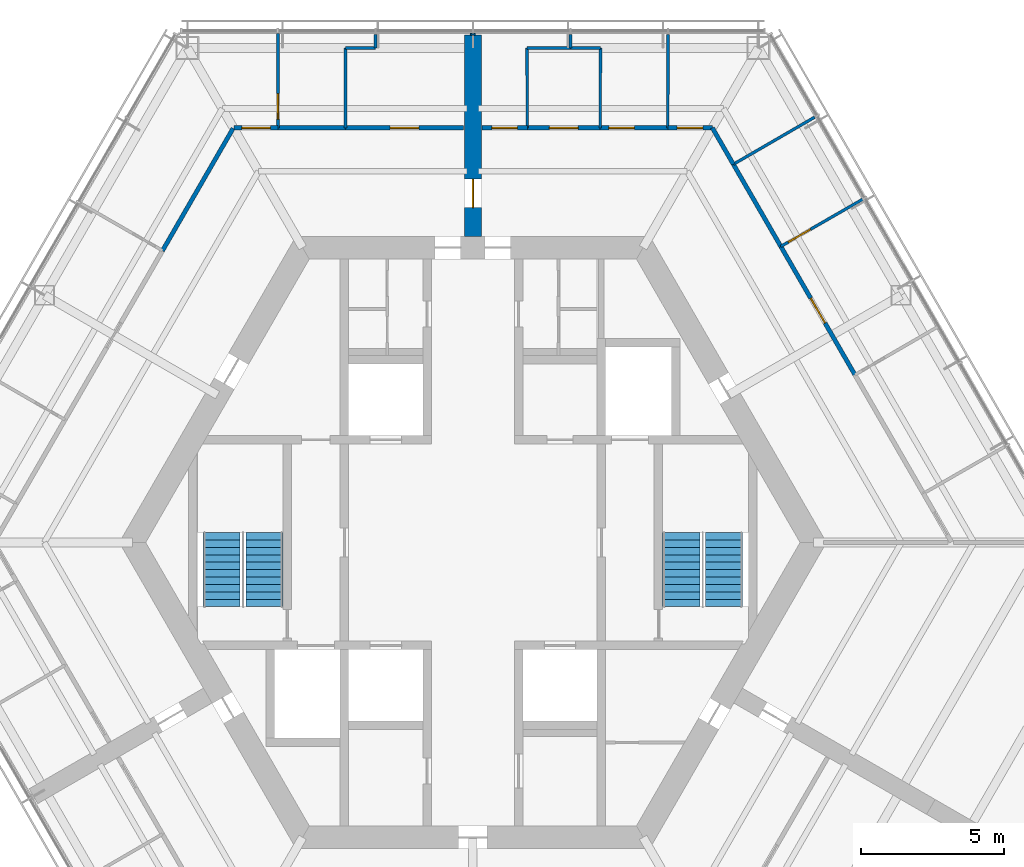
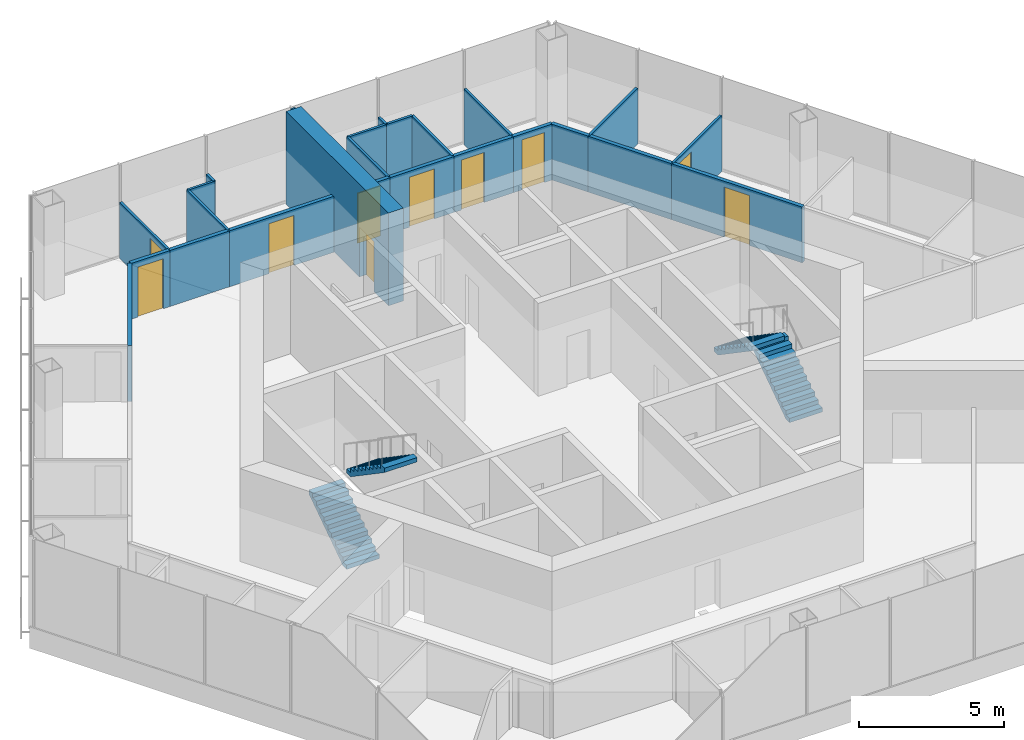
# One storey, part 10 of 13: 25 walls, 10 doors, 4 stair flights, 10 openings, 2 elements without a shape of their own.
"""IFC4 building model written with IfcOpenShell, lengths in metres."""

from ifc_helpers import new_model, si_unit, direction, frame, frame_2d, origin, place, context, subcontext, project, spatial, polyline, rectangle, outline, extrude, material, layer, layer_set, type_object, element, fill, aggregate, save


model = new_model("IFC4")

# Units and contexts
model_context = context("Model", 3, precision=1e-05, world=origin(), true_north=direction((0.0, 1.0)))
body_context = subcontext(model_context, "Body", "Model", "MODEL_VIEW")
ifc_project = project(units=[si_unit("LENGTHUNIT", "METRE"), si_unit("AREAUNIT", "SQUARE_METRE"), si_unit("VOLUMEUNIT", "CUBIC_METRE"), si_unit("PLANEANGLEUNIT", "RADIAN"), si_unit("MASSUNIT", "GRAM", prefix="KILO")], contexts=[model_context])

# Site, building, storey
site_placement = place(None, origin())
site = spatial("IfcSite", under=ifc_project, at=site_placement, CompositionType="ELEMENT")
building_placement = place(site_placement, origin())
building = spatial("IfcBuilding", under=site, at=building_placement, Name="Kasaneha Research Tower", CompositionType="ELEMENT")
storey_placement = place(building_placement, frame((0.0, 0.0, 298.60009765625)))
storey = spatial("IfcBuildingStorey", under=building, at=storey_placement, Name="L75", CompositionType="ELEMENT", Elevation=298.60009765625)

# Walls
ifc_material_1 = material(Name="Gypsum board on steel studs, one layer each side", Category="steel")
ifc_layer_1 = layer(ifc_material_1, 0.10009765625)
ifc_layer_set_1 = layer_set([ifc_layer_1], Name="Office partition 100")
wall_type_1 = type_object("IfcWallType", Name="Office partition 100", PredefinedType="PARTITIONING", material=ifc_layer_set_1)
wall_1_placement = place(storey_placement, frame((3.410400390625, 17.324951171875, 0.0), z_axis=(0.0, 0.0, 1.0), x_axis=(1.0, 0.0, 0.0)))
element("IfcWall", 1, at=wall_1_placement, inside=storey, type_object=wall_type_1, Name="Office partition FAE10 L75", PredefinedType="PARTITIONING", context=body_context, shape_type="SweptSolid", body=[
    extrude(rectangle(XDim=1.0546875, YDim=0.10009765625, at=frame_2d((0.52734375, 0.0))), origin(), (0.0, 0.0, 1.0), 2.349853515625),
])
wall_2_placement = place(storey_placement, frame((4.465087890625, 17.324951171875, 0.0), z_axis=(0.0, 0.0, 1.0), x_axis=(-0.001831019688, -0.999998323682, 0.0)))
element("IfcWall", 2, at=wall_2_placement, inside=storey, type_object=wall_type_1, Name="Office partition FAE11 L75", PredefinedType="PARTITIONING", context=body_context, shape_type="SweptSolid", body=[
    extrude(rectangle(XDim=2.800048828125, YDim=0.10009765625, at=frame_2d((1.39990234375, 0.0))), origin(), (0.0, 0.0, 1.0), 2.349853515625),
])
wall_3_placement = place(storey_placement, frame((1.89990234375, 17.324951171875, 0.0), z_axis=(0.0, 0.0, 1.0), x_axis=(1.0, 0.0, 0.0)))
element("IfcWall", 3, at=wall_3_placement, inside=storey, type_object=wall_type_1, Name="Office partition FAE12 L75", PredefinedType="PARTITIONING", context=body_context, shape_type="SweptSolid", body=[
    extrude(rectangle(XDim=1.5205078125, YDim=0.10009765625, at=frame_2d((0.76025390625, 0.0))), origin(), (0.0, 0.0, 1.0), 2.349853515625),
])
wall_4_placement = place(storey_placement, frame((1.905029296875, 14.52490234375, 0.0), z_axis=(0.0, 0.0, 1.0), x_axis=(-0.001831019688, 0.999998323682, 0.0)))
element("IfcWall", 4, at=wall_4_placement, inside=storey, type_object=wall_type_1, Name="Office partition FAE13 L75", PredefinedType="PARTITIONING", context=body_context, shape_type="SweptSolid", body=[
    extrude(rectangle(XDim=2.800048828125, YDim=0.10009765625, at=frame_2d((1.39990234375, 0.0))), origin(), (0.0, 0.0, 1.0), 2.349853515625),
])
wall_5_placement = place(storey_placement, frame((9.123779296875, 13.247314453125, 0.0), z_axis=(0.0, 0.0, 1.0), x_axis=(0.865292288087, 0.501267649243, 0.0)))
element("IfcWall", 5, at=wall_5_placement, inside=storey, type_object=wall_type_1, Name="Office partition FAE16 L75", PredefinedType="PARTITIONING", context=body_context, shape_type="SweptSolid", body=[
    extrude(rectangle(XDim=3.28564453125, YDim=0.10009765625, at=frame_2d((1.642822265625, 0.0))), origin(), (0.0, 0.0, 1.0), 2.349853515625),
])

# Wall, opening, door
wall_6_placement = place(storey_placement, frame((13.65380859375, 12.02197265625, 0.0), z_axis=(0.0, 0.0, 1.0), x_axis=(-0.866613759554, -0.498979550434, 0.0)))
wall_6 = element("IfcWall", 6, at=wall_6_placement, inside=storey, type_object=wall_type_1, Name="Office partition FAE17 L75", PredefinedType="PARTITIONING", context=body_context, shape_type="SweptSolid", body=[
    extrude(rectangle(XDim=3.310546875, YDim=0.10009765625, at=frame_2d((1.6552734375, 0.0))), origin(), (0.0, 0.0, 1.0), 2.349853515625),
])
opening_1_placement = place(wall_6_placement, frame((2.1103515625, 0.0, 0.0)))
opening_1 = element("IfcOpeningElement", 7, at=opening_1_placement, cuts=wall_6, Name="Opening L75-D33", PredefinedType="OPENING", context=body_context, shape_type="SweptSolid", body=[
    extrude(rectangle(XDim=0.89990234375, YDim=2.10009765625, at=frame_2d((0.449951171875, 1.050048828125))), frame((0.0, 0.06005859375, 0.0), z_axis=(0.0, -1.0, 0.0), x_axis=(1.0, 0.0, 0.0)), (0.0, 0.0, 1.0), 0.1201171875),
])
ifc_material_2 = material(Name="Timber veneer", Category="wood")
door_type_1 = type_object("IfcDoorType", Name="Office door 900x2100", OperationType="SINGLE_SWING_LEFT", PredefinedType="DOOR", material=ifc_material_2)
door_1_placement = place(opening_1_placement, origin())
door_1 = element("IfcDoor", 8, at=door_1_placement, inside=storey, type_object=door_type_1, Name="Tatami reception room door L75-D33", OperationType="SINGLE_SWING_RIGHT", OverallHeight=2.10009765625, OverallWidth=0.89990234375, PredefinedType="DOOR", context=body_context, shape_type="SweptSolid", body=[
    extrude(rectangle(XDim=0.89990234375, YDim=2.10009765625, at=frame_2d((0.449951171875, 1.050048828125))), frame((0.0, 0.02490234375, 0.0), z_axis=(0.0, -1.0, 0.0), x_axis=(1.0, 0.0, 0.0)), (0.0, 0.0, 1.0), 0.050048828125),
])
fill(opening_1, door_1)

# Walls
wall_7_placement = place(storey_placement, frame((3.42041015625, 17.324951171875, 0.0), z_axis=(0.0, 0.0, 1.0), x_axis=(-0.010266399375, 0.999947299133, 0.0)))
element("IfcWall", 9, at=wall_7_placement, inside=storey, type_object=wall_type_1, Name="Office partition FAE18 L75", PredefinedType="PARTITIONING", context=body_context, shape_type="SweptSolid", body=[
    extrude(rectangle(XDim=0.4755859375, YDim=0.10009765625, at=frame_2d((0.23779296875, 0.0))), origin(), (0.0, 0.0, 1.0), 2.349853515625),
])
wall_8_placement = place(storey_placement, frame((6.830810546875, 17.800537109375, 0.0), z_axis=(0.0, 0.0, 1.0), x_axis=(-0.001490644539, -0.999998888989, 0.0)))
element("IfcWall", 10, at=wall_8_placement, inside=storey, type_object=wall_type_1, Name="Office partition FAE19 L75", PredefinedType="PARTITIONING", context=body_context, shape_type="SweptSolid", body=[
    extrude(rectangle(XDim=3.275634765625, YDim=0.10009765625, at=frame_2d((1.6376953125, 0.0))), origin(), (0.0, 0.0, 1.0), 2.349853515625),
])
wall_9_placement = place(storey_placement, frame((-4.465087890625, 17.324951171875, 0.0), z_axis=(0.0, 0.0, 1.0), x_axis=(1.0, 0.0, 0.0)))
element("IfcWall", 11, at=wall_9_placement, inside=storey, type_object=wall_type_1, Name="Office partition FAW04 L75", PredefinedType="PARTITIONING", context=body_context, shape_type="SweptSolid", body=[
    extrude(rectangle(XDim=1.050048828125, YDim=0.10009765625, at=frame_2d((0.52490234375, 0.0))), origin(), (0.0, 0.0, 1.0), 2.349853515625),
])
wall_10_placement = place(storey_placement, frame((-4.4599609375, 14.52490234375, 0.0), z_axis=(0.0, 0.0, 1.0), x_axis=(-0.001831019688, 0.999998323682, 0.0)))
element("IfcWall", 12, at=wall_10_placement, inside=storey, type_object=wall_type_1, Name="Office partition FAW05 L75", PredefinedType="PARTITIONING", context=body_context, shape_type="SweptSolid", body=[
    extrude(rectangle(XDim=2.800048828125, YDim=0.10009765625, at=frame_2d((1.39990234375, 0.0))), origin(), (0.0, 0.0, 1.0), 2.349853515625),
])
wall_11_placement = place(storey_placement, frame((-3.4150390625, 17.324951171875, 0.0), z_axis=(0.0, 0.0, 1.0), x_axis=(0.0, 1.0, 0.0)))
element("IfcWall", 13, at=wall_11_placement, inside=storey, type_object=wall_type_1, Name="Office partition FAW06 L75", PredefinedType="PARTITIONING", context=body_context, shape_type="SweptSolid", body=[
    extrude(rectangle(XDim=0.4755859375, YDim=0.10009765625, at=frame_2d((0.23779296875, 0.0))), origin(), (0.0, 0.0, 1.0), 2.349853515625),
])

# Wall, opening, door
wall_12_placement = place(storey_placement, frame((-6.826416015625, 14.52490234375, 0.0), z_axis=(0.0, 0.0, 1.0), x_axis=(-0.001401178566, 0.999999018349, 0.0)))
wall_12 = element("IfcWall", 14, at=wall_12_placement, inside=storey, type_object=wall_type_1, Name="Office partition FAW07 L75", PredefinedType="PARTITIONING", context=body_context, shape_type="SweptSolid", body=[
    extrude(rectangle(XDim=3.310546875, YDim=0.10009765625, at=frame_2d((1.6552734375, 0.0))), origin(), (0.0, 0.0, 1.0), 2.349853515625),
])
opening_2_placement = place(wall_12_placement, frame((0.300048828125, 0.0, 0.0)))
opening_2 = element("IfcOpeningElement", 15, at=opening_2_placement, cuts=wall_12, Name="Opening L75-D36", PredefinedType="OPENING", context=body_context, shape_type="SweptSolid", body=[
    extrude(rectangle(XDim=0.89990234375, YDim=2.10009765625, at=frame_2d((0.449951171875, 1.050048828125))), frame((0.0, 0.06005859375, 0.0), z_axis=(0.0, -1.0, 0.0), x_axis=(1.0, 0.0, 0.0)), (0.0, 0.0, 1.0), 0.1201171875),
])
door_2_placement = place(opening_2_placement, origin())
door_2 = element("IfcDoor", 16, at=door_2_placement, inside=storey, type_object=door_type_1, Name="Executive office door L75-D36", OperationType="SINGLE_SWING_LEFT", OverallHeight=2.10009765625, OverallWidth=0.89990234375, PredefinedType="DOOR", context=body_context, shape_type="SweptSolid", body=[
    extrude(rectangle(XDim=0.89990234375, YDim=2.10009765625, at=frame_2d((0.449951171875, 1.050048828125))), frame((0.0, 0.02490234375, 0.0), z_axis=(0.0, -1.0, 0.0), x_axis=(1.0, 0.0, 0.0)), (0.0, 0.0, 1.0), 0.050048828125),
])
fill(opening_2, door_2)

ifc_material_3 = material(Name="Concrete Fc60", Category="concrete")
ifc_layer_2 = layer(ifc_material_3, 0.60009765625)
ifc_layer_set_2 = layer_set([ifc_layer_2], Name="Spine wall 600 Fc60")
wall_type_2 = type_object("IfcWallType", Name="Spine wall 600 Fc60", PredefinedType="SHEAR", material=ifc_layer_set_2)
wall_13_placement = place(storey_placement, frame((0.0, 10.72509765625, 0.0), z_axis=(0.0, 0.0, 1.0), x_axis=(0.0, 1.0, 0.0)))
wall_13 = element("IfcWall", 17, at=wall_13_placement, inside=storey, type_object=wall_type_2, Name="Spine wall A L75", PredefinedType="SHEAR", context=body_context, shape_type="SweptSolid", body=[
    extrude(rectangle(XDim=7.04541015625, YDim=0.60009765625, at=frame_2d((3.522705078125, 0.0))), origin(), (0.0, 0.0, 1.0), 3.89990234375),
])
opening_3_placement = place(wall_13_placement, frame((1.0, 0.0, 0.0)))
opening_3 = element("IfcOpeningElement", 18, at=opening_3_placement, cuts=wall_13, Name="Opening L75-D18", PredefinedType="OPENING", context=body_context, shape_type="SweptSolid", body=[
    extrude(rectangle(XDim=1.0, YDim=2.10009765625, at=frame_2d((0.5, 1.050048828125))), frame((0.0, 0.31005859375, 0.0), z_axis=(0.0, -1.0, 0.0), x_axis=(1.0, 0.0, 0.0)), (0.0, 0.0, 1.0), 0.6201171875),
])
ifc_material_4 = material(Name="Steel", Category="steel")
door_type_2 = type_object("IfcDoorType", Name="Specified fire door FD60 1000x2100", OperationType="NOTDEFINED", PredefinedType="DOOR", material=ifc_material_4)
door_3_placement = place(opening_3_placement, origin())
door_3 = element("IfcDoor", 19, at=door_3_placement, inside=storey, type_object=door_type_2, Name="Spine doorway A L75-D18", OperationType="SINGLE_SWING_LEFT", OverallHeight=2.10009765625, OverallWidth=1.0, PredefinedType="DOOR", context=body_context, shape_type="SweptSolid", body=[
    extrude(rectangle(XDim=1.0, YDim=2.10009765625, at=frame_2d((0.5, 1.050048828125))), frame((0.0, 0.02490234375, 0.0), z_axis=(0.0, -1.0, 0.0), x_axis=(1.0, 0.0, 0.0)), (0.0, 0.0, 1.0), 0.050048828125),
])
fill(opening_3, door_3)

ifc_material_5 = material(Name="Gypsum board on steel studs, two layers each side", Category="steel")
ifc_layer_3 = layer(ifc_material_5, 0.14990234375)
ifc_layer_set_3 = layer_set([ifc_layer_3], Name="Suite partition 150")
wall_type_3 = type_object("IfcWallType", Name="Suite partition 150", PredefinedType="PARTITIONING", material=ifc_layer_set_3)
wall_14_placement = place(storey_placement, frame((1.89501953125, 14.52490234375, 0.0), z_axis=(0.0, 0.0, 1.0), x_axis=(1.0, 0.0, 0.0)))
wall_14 = element("IfcWall", 20, at=wall_14_placement, inside=storey, type_object=wall_type_3, Name="Suite partition FAE01 L75", PredefinedType="PARTITIONING", context=body_context, shape_type="SweptSolid", body=[
    extrude(rectangle(XDim=2.574951171875, YDim=0.14990234375, at=frame_2d((1.28759765625, 0.0))), origin(), (0.0, 0.0, 1.0), 2.349853515625),
])
opening_4_placement = place(wall_14_placement, frame((0.78759765625, 0.0, 0.0)))
opening_4 = element("IfcOpeningElement", 21, at=opening_4_placement, cuts=wall_14, Name="Opening L75-D26", PredefinedType="OPENING", context=body_context, shape_type="SweptSolid", body=[
    extrude(rectangle(XDim=1.0, YDim=2.10009765625, at=frame_2d((0.5, 1.050048828125))), frame((0.0, 0.0849609375, 0.0), z_axis=(0.0, -1.0, 0.0), x_axis=(1.0, 0.0, 0.0)), (0.0, 0.0, 1.0), 0.169921875),
])
ifc_material_6 = material(Name="Steel", Category="steel")
door_type_3 = type_object("IfcDoorType", Name="Suite entrance door FD60 1000x2100", OperationType="NOTDEFINED", PredefinedType="DOOR", material=ifc_material_6)
door_4_placement = place(opening_4_placement, origin())
door_4 = element("IfcDoor", 22, at=door_4_placement, inside=storey, type_object=door_type_3, Name="Suite entrance door L75-D26", OperationType="SINGLE_SWING_RIGHT", OverallHeight=2.10009765625, OverallWidth=1.0, PredefinedType="DOOR", context=body_context, shape_type="SweptSolid", body=[
    extrude(rectangle(XDim=1.0, YDim=2.10009765625, at=frame_2d((0.5, 1.050048828125))), frame((0.0, 0.02490234375, 0.0), z_axis=(0.0, -1.0, 0.0), x_axis=(1.0, 0.0, 0.0)), (0.0, 0.0, 1.0), 0.050048828125),
])
fill(opening_4, door_4)

# Wall
wall_15_placement = place(storey_placement, frame((9.118896484375, 13.255859375, 0.0), z_axis=(0.0, 0.0, 1.0), x_axis=(0.499990242038, -0.866031037473, 0.0)))
element("IfcWall", 23, at=wall_15_placement, inside=storey, type_object=wall_type_3, Name="Suite partition FAE03 L75", PredefinedType="PARTITIONING", context=body_context, shape_type="SweptSolid", body=[
    extrude(rectangle(XDim=3.3408203125, YDim=0.14990234375, at=frame_2d((1.67041015625, 0.0))), origin(), (0.0, 0.0, 1.0), 2.349853515625),
])

# Wall, opening, door
wall_16_placement = place(storey_placement, frame((4.4599609375, 14.52490234375, 0.0), z_axis=(0.0, 0.0, 1.0), x_axis=(1.0, 0.0, 0.0)))
wall_16 = element("IfcWall", 24, at=wall_16_placement, inside=storey, type_object=wall_type_3, Name="Suite partition FAE04 L75", PredefinedType="PARTITIONING", context=body_context, shape_type="SweptSolid", body=[
    extrude(rectangle(XDim=2.3759765625, YDim=0.14990234375, at=frame_2d((1.18798828125, 0.0))), origin(), (0.0, 0.0, 1.0), 2.349853515625),
])
opening_5_placement = place(wall_16_placement, frame((0.300048828125, 0.0, 0.0)))
opening_5 = element("IfcOpeningElement", 25, at=opening_5_placement, cuts=wall_16, Name="Opening L75-D27", PredefinedType="OPENING", context=body_context, shape_type="SweptSolid", body=[
    extrude(rectangle(XDim=0.89990234375, YDim=2.10009765625, at=frame_2d((0.449951171875, 1.050048828125))), frame((0.0, 0.0849609375, 0.0), z_axis=(0.0, -1.0, 0.0), x_axis=(1.0, 0.0, 0.0)), (0.0, 0.0, 1.0), 0.169921875),
])
door_5_placement = place(opening_5_placement, origin())
door_5 = element("IfcDoor", 26, at=door_5_placement, inside=storey, type_object=door_type_1, Name="Executive office door L75-D27", OperationType="SINGLE_SWING_LEFT", OverallHeight=2.10009765625, OverallWidth=0.89990234375, PredefinedType="DOOR", context=body_context, shape_type="SweptSolid", body=[
    extrude(rectangle(XDim=0.89990234375, YDim=2.10009765625, at=frame_2d((0.449951171875, 1.050048828125))), frame((0.0, 0.02490234375, 0.0), z_axis=(0.0, -1.0, 0.0), x_axis=(1.0, 0.0, 0.0)), (0.0, 0.0, 1.0), 0.050048828125),
])
fill(opening_5, door_5)

wall_17_placement = place(storey_placement, frame((0.320068359375, 14.52490234375, 0.0), z_axis=(0.0, 0.0, 1.0), x_axis=(1.0, 0.0, 0.0)))
wall_17 = element("IfcWall", 27, at=wall_17_placement, inside=storey, type_object=wall_type_3, Name="Suite partition FAE05 L75", PredefinedType="PARTITIONING", context=body_context, shape_type="SweptSolid", body=[
    extrude(rectangle(XDim=1.5849609375, YDim=0.14990234375, at=frame_2d((0.79248046875, 0.0))), origin(), (0.0, 0.0, 1.0), 2.349853515625),
])
opening_6_placement = place(wall_17_placement, frame((0.342529296875, 0.0, 0.0)))
opening_6 = element("IfcOpeningElement", 28, at=opening_6_placement, cuts=wall_17, Name="Opening L75-D28", PredefinedType="OPENING", context=body_context, shape_type="SweptSolid", body=[
    extrude(rectangle(XDim=0.89990234375, YDim=2.10009765625, at=frame_2d((0.449951171875, 1.050048828125))), frame((0.0, 0.0849609375, 0.0), z_axis=(0.0, -1.0, 0.0), x_axis=(1.0, 0.0, 0.0)), (0.0, 0.0, 1.0), 0.169921875),
])
door_6_placement = place(opening_6_placement, origin())
door_6 = element("IfcDoor", 29, at=door_6_placement, inside=storey, type_object=door_type_1, Name="Executive office door L75-D28", OperationType="SINGLE_SWING_RIGHT", OverallHeight=2.10009765625, OverallWidth=0.89990234375, PredefinedType="DOOR", context=body_context, shape_type="SweptSolid", body=[
    extrude(rectangle(XDim=0.89990234375, YDim=2.10009765625, at=frame_2d((0.449951171875, 1.050048828125))), frame((0.0, 0.02490234375, 0.0), z_axis=(0.0, -1.0, 0.0), x_axis=(1.0, 0.0, 0.0)), (0.0, 0.0, 1.0), 0.050048828125),
])
fill(opening_6, door_6)

wall_18_placement = place(storey_placement, frame((6.825927734375, 14.52490234375, 0.0), z_axis=(0.0, 0.0, 1.0), x_axis=(1.0, 0.0, 0.0)))
wall_18 = element("IfcWall", 30, at=wall_18_placement, inside=storey, type_object=wall_type_3, Name="Suite partition FAE07 L75", PredefinedType="PARTITIONING", context=body_context, shape_type="SweptSolid", body=[
    extrude(rectangle(XDim=1.56005859375, YDim=0.14990234375, at=frame_2d((0.780029296875, 0.0))), origin(), (0.0, 0.0, 1.0), 2.349853515625),
])
opening_7_placement = place(wall_18_placement, frame((0.330078125, 0.0, 0.0)))
opening_7 = element("IfcOpeningElement", 31, at=opening_7_placement, cuts=wall_18, Name="Opening L75-D30", PredefinedType="OPENING", context=body_context, shape_type="SweptSolid", body=[
    extrude(rectangle(XDim=0.89990234375, YDim=2.10009765625, at=frame_2d((0.449951171875, 1.050048828125))), frame((0.0, 0.0849609375, 0.0), z_axis=(0.0, -1.0, 0.0), x_axis=(1.0, 0.0, 0.0)), (0.0, 0.0, 1.0), 0.169921875),
])
door_7_placement = place(opening_7_placement, origin())
door_7 = element("IfcDoor", 32, at=door_7_placement, inside=storey, type_object=door_type_1, Name="Project room door L75-D30", OperationType="SINGLE_SWING_LEFT", OverallHeight=2.10009765625, OverallWidth=0.89990234375, PredefinedType="DOOR", context=body_context, shape_type="SweptSolid", body=[
    extrude(rectangle(XDim=0.89990234375, YDim=2.10009765625, at=frame_2d((0.449951171875, 1.050048828125))), frame((0.0, 0.02490234375, 0.0), z_axis=(0.0, -1.0, 0.0), x_axis=(1.0, 0.0, 0.0)), (0.0, 0.0, 1.0), 0.050048828125),
])
fill(opening_7, door_7)

# Wall
wall_19_placement = place(storey_placement, frame((8.385986328125, 14.52490234375, 0.0), z_axis=(0.0, 0.0, 1.0), x_axis=(0.500090108003, -0.865973373654, 0.0)))
element("IfcWall", 33, at=wall_19_placement, inside=storey, type_object=wall_type_3, Name="Suite partition FAE08 L75", PredefinedType="PARTITIONING", context=body_context, shape_type="SweptSolid", body=[
    extrude(rectangle(XDim=1.475341796875, YDim=0.14990234375, at=frame_2d((0.73779296875, 0.0))), origin(), (0.0, 0.0, 1.0), 2.349853515625),
])

# Wall, opening, door
wall_20_placement = place(storey_placement, frame((10.784912109375, 10.3701171875, 0.0), z_axis=(0.0, 0.0, 1.0), x_axis=(0.499992432099, -0.86602977307, 0.0)))
wall_20 = element("IfcWall", 34, at=wall_20_placement, inside=storey, type_object=wall_type_3, Name="Suite partition FAE09 L75", PredefinedType="PARTITIONING", context=body_context, shape_type="SweptSolid", body=[
    extrude(rectangle(XDim=5.1923828125, YDim=0.14990234375, at=frame_2d((2.59619140625, 0.0))), origin(), (0.0, 0.0, 1.0), 2.349853515625),
])
opening_8_placement = place(wall_20_placement, frame((2.09619140625, 0.0, 0.0)))
opening_8 = element("IfcOpeningElement", 35, at=opening_8_placement, cuts=wall_20, Name="Opening L75-D31", PredefinedType="OPENING", context=body_context, shape_type="SweptSolid", body=[
    extrude(rectangle(XDim=1.0, YDim=2.10009765625, at=frame_2d((0.5, 1.050048828125))), frame((0.0, 0.0849609375, 0.0), z_axis=(0.0, -1.0, 0.0), x_axis=(1.0, 0.0, 0.0)), (0.0, 0.0, 1.0), 0.169921875),
])
door_8_placement = place(opening_8_placement, origin())
door_8 = element("IfcDoor", 36, at=door_8_placement, inside=storey, type_object=door_type_3, Name="Suite entrance door L75-D31", OperationType="SINGLE_SWING_RIGHT", OverallHeight=2.10009765625, OverallWidth=1.0, PredefinedType="DOOR", context=body_context, shape_type="SweptSolid", body=[
    extrude(rectangle(XDim=1.0, YDim=2.10009765625, at=frame_2d((0.5, 1.050048828125))), frame((0.0, 0.02490234375, 0.0), z_axis=(0.0, -1.0, 0.0), x_axis=(1.0, 0.0, 0.0)), (0.0, 0.0, 1.0), 0.050048828125),
])
fill(opening_8, door_8)

wall_21_placement = place(storey_placement, frame((-4.469970703125, 14.52490234375, 0.0), z_axis=(0.0, 0.0, 1.0), x_axis=(1.0, 0.0, 0.0)))
wall_21 = element("IfcWall", 37, at=wall_21_placement, inside=storey, type_object=wall_type_3, Name="Suite partition FAW01 L75", PredefinedType="PARTITIONING", context=body_context, shape_type="SweptSolid", body=[
    extrude(rectangle(XDim=4.14990234375, YDim=0.14990234375, at=frame_2d((2.074951171875, 0.0))), origin(), (0.0, 0.0, 1.0), 2.349853515625),
])
opening_9_placement = place(wall_21_placement, frame((1.574951171875, 0.0, 0.0)))
opening_9 = element("IfcOpeningElement", 38, at=opening_9_placement, cuts=wall_21, Name="Opening L75-D34", PredefinedType="OPENING", context=body_context, shape_type="SweptSolid", body=[
    extrude(rectangle(XDim=1.0, YDim=2.10009765625, at=frame_2d((0.5, 1.050048828125))), frame((0.0, 0.0849609375, 0.0), z_axis=(0.0, -1.0, 0.0), x_axis=(1.0, 0.0, 0.0)), (0.0, 0.0, 1.0), 0.169921875),
])
door_9_placement = place(opening_9_placement, origin())
door_9 = element("IfcDoor", 39, at=door_9_placement, inside=storey, type_object=door_type_3, Name="Suite entrance door L75-D34", OperationType="SINGLE_SWING_LEFT", OverallHeight=2.10009765625, OverallWidth=1.0, PredefinedType="DOOR", context=body_context, shape_type="SweptSolid", body=[
    extrude(rectangle(XDim=1.0, YDim=2.10009765625, at=frame_2d((0.5, 1.050048828125))), frame((0.0, 0.02490234375, 0.0), z_axis=(0.0, -1.0, 0.0), x_axis=(1.0, 0.0, 0.0)), (0.0, 0.0, 1.0), 0.050048828125),
])
fill(opening_9, door_9)

# Wall
wall_22_placement = place(storey_placement, frame((-6.8359375, 14.52490234375, 0.0), z_axis=(0.0, 0.0, 1.0), x_axis=(1.0, 0.0, 0.0)))
element("IfcWall", 40, at=wall_22_placement, inside=storey, type_object=wall_type_3, Name="Suite partition FAW02 L75", PredefinedType="PARTITIONING", context=body_context, shape_type="SweptSolid", body=[
    extrude(rectangle(XDim=2.3759765625, YDim=0.14990234375, at=frame_2d((1.18798828125, 0.0))), origin(), (0.0, 0.0, 1.0), 2.349853515625),
])

# Wall, opening, door
wall_23_placement = place(storey_placement, frame((-8.36279296875, 14.52490234375, 0.0), z_axis=(0.0, 0.0, 1.0), x_axis=(1.0, 0.0, 0.0)))
wall_23 = element("IfcWall", 41, at=wall_23_placement, inside=storey, type_object=wall_type_3, Name="Suite partition FAW03 L75", PredefinedType="PARTITIONING", context=body_context, shape_type="SweptSolid", body=[
    extrude(rectangle(XDim=1.536376953125, YDim=0.14990234375, at=frame_2d((0.76806640625, 0.0))), origin(), (0.0, 0.0, 1.0), 2.349853515625),
])
opening_10_placement = place(wall_23_placement, frame((0.268310546875, 0.0, 0.0)))
opening_10 = element("IfcOpeningElement", 42, at=opening_10_placement, cuts=wall_23, Name="Opening L75-D35", PredefinedType="OPENING", context=body_context, shape_type="SweptSolid", body=[
    extrude(rectangle(XDim=1.0, YDim=2.10009765625, at=frame_2d((0.5, 1.050048828125))), frame((0.0, 0.0849609375, 0.0), z_axis=(0.0, -1.0, 0.0), x_axis=(1.0, 0.0, 0.0)), (0.0, 0.0, 1.0), 0.169921875),
])
door_10_placement = place(opening_10_placement, origin())
door_10 = element("IfcDoor", 43, at=door_10_placement, inside=storey, type_object=door_type_3, Name="Suite entrance door L75-D35", OperationType="SINGLE_SWING_RIGHT", OverallHeight=2.10009765625, OverallWidth=1.0, PredefinedType="DOOR", context=body_context, shape_type="SweptSolid", body=[
    extrude(rectangle(XDim=1.0, YDim=2.10009765625, at=frame_2d((0.5, 1.050048828125))), frame((0.0, 0.02490234375, 0.0), z_axis=(0.0, -1.0, 0.0), x_axis=(1.0, 0.0, 0.0)), (0.0, 0.0, 1.0), 0.050048828125),
])
fill(opening_10, door_10)

# Walls
wall_24_placement = place(storey_placement, frame((-10.873779296875, 10.216064453125, 0.0), z_axis=(0.0, 0.0, 1.0), x_axis=(0.499988457423, 0.866032067792, 0.0)))
element("IfcWall", 44, at=wall_24_placement, inside=storey, type_object=wall_type_3, Name="Suite partition FBN01 L75", PredefinedType="PARTITIONING", context=body_context, shape_type="SweptSolid", body=[
    extrude(rectangle(XDim=4.9521484375, YDim=0.14990234375, at=frame_2d((2.47607421875, 0.0))), origin(), (0.0, 0.0, 1.0), 2.349853515625),
])
ifc_material_7 = material(Name="Gypsum board on steel studs, two layers each side", Category="steel")
ifc_layer_4 = layer(ifc_material_7, 0.175048828125)
ifc_layer_set_4 = layer_set([ifc_layer_4], Name="Tenancy fire partition 175")
wall_type_4 = type_object("IfcWallType", Name="Tenancy fire partition 175", PredefinedType="PARTITIONING", material=ifc_layer_set_4)
wall_25_placement = place(storey_placement, frame((0.0, 17.7705078125, 0.0), z_axis=(0.0, 0.0, 1.0), x_axis=(0.0, 1.0, 0.0)))
element("IfcWall", 45, at=wall_25_placement, inside=storey, type_object=wall_type_4, Name="Spine wall closer SW4-600 L75", PredefinedType="PARTITIONING", context=body_context, shape_type="SweptSolid", body=[
    extrude(rectangle(XDim=0.06494140625, YDim=0.175048828125, at=frame_2d((0.032470703125, 0.0))), origin(), (0.0, 0.0, 1.0), 3.89990234375),
])

# Stair, stair flights
ifc_material_8 = material(Name="Concrete Fc24", Category="concrete")
stair_type = type_object("IfcStairType", Name="Half-turn stair 22 risers", PredefinedType="HALF_TURN_STAIR", material=ifc_material_8)
stair_1_placement = place(storey_placement, origin())
stair_1 = element("IfcStair", 46, at=stair_1_placement, inside=storey, type_object=stair_type, Name="Stair 1 L75", PredefinedType="HALF_TURN_STAIR")
ifc_material_9 = material(Name="Concrete Fc24", Category="concrete")
stair_flight_type = type_object("IfcStairFlightType", Name="Stair flight 11 risers 177.3", PredefinedType="STRAIGHT", material=ifc_material_9)
stair_flight_1_placement = place(storey_placement, frame((8.800048828125, -2.25, 0.0), z_axis=(0.0, 0.0, 1.0), x_axis=(0.0, 1.0, 0.0)))
stair_flight_1 = element("IfcStairFlight", 47, at=stair_flight_1_placement, type_object=stair_flight_type, Name="ST1-22R flight 1", NumberOfRisers=11, NumberOfTreads=10, PredefinedType="STRAIGHT", RiserHeight=0.177272727, TreadLength=0.26, context=body_context, shape_type="SweptSolid", body=[
    extrude(outline(polyline([(0.0, 0.0), (0.0, 0.17724609375), (0.260009765625, 0.17724609375), (0.260009765625, 0.3544921875), (0.52001953125, 0.3544921875), (0.52001953125, 0.53173828125), (0.780029296875, 0.53173828125), (0.780029296875, 0.708984375), (1.0400390625, 0.708984375), (1.0400390625, 0.886474609375), (1.300048828125, 0.886474609375), (1.300048828125, 1.063720703125), (1.56005859375, 1.063720703125), (1.56005859375, 1.240966796875), (1.820068359375, 1.240966796875), (1.820068359375, 1.418212890625), (2.080078125, 1.418212890625), (2.080078125, 1.595458984375), (2.340087890625, 1.595458984375), (2.340087890625, 1.772705078125), (2.60009765625, 1.772705078125), (2.60009765625, 1.949951171875), (2.60009765625, 1.59130859375), (0.26611328125, 0.0), (0.0, 0.0)])), frame((0.0, 0.64990234375, 0.0), z_axis=(0.0, -1.0, 0.0), x_axis=(1.0, 0.0, 0.0)), (0.0, 0.0, 1.0), 1.300048828125),
])
stair_flight_2_placement = place(storey_placement, frame((7.300048828125, 0.35009765625, 1.949951171875), z_axis=(0.0, 0.0, 1.0), x_axis=(0.0, -1.0, 0.0)))
stair_flight_2 = element("IfcStairFlight", 48, at=stair_flight_2_placement, type_object=stair_flight_type, Name="ST1-22R flight 2", NumberOfRisers=11, NumberOfTreads=10, PredefinedType="STRAIGHT", RiserHeight=0.177272727, TreadLength=0.26, context=body_context, shape_type="SweptSolid", body=[
    extrude(outline(polyline([(0.0, 0.0), (0.0, 0.17724609375), (0.260009765625, 0.17724609375), (0.260009765625, 0.3544921875), (0.52001953125, 0.3544921875), (0.52001953125, 0.53173828125), (0.780029296875, 0.53173828125), (0.780029296875, 0.708984375), (1.0400390625, 0.708984375), (1.0400390625, 0.886474609375), (1.300048828125, 0.886474609375), (1.300048828125, 1.063720703125), (1.56005859375, 1.063720703125), (1.56005859375, 1.240966796875), (1.820068359375, 1.240966796875), (1.820068359375, 1.418212890625), (2.080078125, 1.418212890625), (2.080078125, 1.595458984375), (2.340087890625, 1.595458984375), (2.340087890625, 1.772705078125), (2.60009765625, 1.772705078125), (2.60009765625, 1.949951171875), (2.60009765625, 1.59130859375), (0.26611328125, 0.0), (0.0, 0.0)])), frame((0.0, 0.64990234375, 0.0), z_axis=(0.0, -1.0, 0.0), x_axis=(1.0, 0.0, 0.0)), (0.0, 0.0, 1.0), 1.300048828125),
])
aggregate(stair_1, [stair_flight_1, stair_flight_2])

stair_2_placement = place(storey_placement, origin())
stair_2 = element("IfcStair", 49, at=stair_2_placement, inside=storey, type_object=stair_type, Name="Stair 2 L75", PredefinedType="HALF_TURN_STAIR")
stair_flight_3_placement = place(storey_placement, frame((-8.800048828125, -2.25, 0.0), z_axis=(0.0, 0.0, 1.0), x_axis=(0.0, 1.0, 0.0)))
stair_flight_3 = element("IfcStairFlight", 50, at=stair_flight_3_placement, type_object=stair_flight_type, Name="ST2-22R flight 1", NumberOfRisers=11, NumberOfTreads=10, PredefinedType="STRAIGHT", RiserHeight=0.177272727, TreadLength=0.26, context=body_context, shape_type="SweptSolid", body=[
    extrude(outline(polyline([(0.0, 0.0), (0.0, 0.17724609375), (0.260009765625, 0.17724609375), (0.260009765625, 0.3544921875), (0.52001953125, 0.3544921875), (0.52001953125, 0.53173828125), (0.780029296875, 0.53173828125), (0.780029296875, 0.708984375), (1.0400390625, 0.708984375), (1.0400390625, 0.886474609375), (1.300048828125, 0.886474609375), (1.300048828125, 1.063720703125), (1.56005859375, 1.063720703125), (1.56005859375, 1.240966796875), (1.820068359375, 1.240966796875), (1.820068359375, 1.418212890625), (2.080078125, 1.418212890625), (2.080078125, 1.595458984375), (2.340087890625, 1.595458984375), (2.340087890625, 1.772705078125), (2.60009765625, 1.772705078125), (2.60009765625, 1.949951171875), (2.60009765625, 1.59130859375), (0.26611328125, 0.0), (0.0, 0.0)])), frame((0.0, 0.64990234375, 0.0), z_axis=(0.0, -1.0, 0.0), x_axis=(1.0, 0.0, 0.0)), (0.0, 0.0, 1.0), 1.300048828125),
])
stair_flight_4_placement = place(storey_placement, frame((-7.300048828125, 0.35009765625, 1.949951171875), z_axis=(0.0, 0.0, 1.0), x_axis=(0.0, -1.0, 0.0)))
stair_flight_4 = element("IfcStairFlight", 51, at=stair_flight_4_placement, type_object=stair_flight_type, Name="ST2-22R flight 2", NumberOfRisers=11, NumberOfTreads=10, PredefinedType="STRAIGHT", RiserHeight=0.177272727, TreadLength=0.26, context=body_context, shape_type="SweptSolid", body=[
    extrude(outline(polyline([(0.0, 0.0), (0.0, 0.17724609375), (0.260009765625, 0.17724609375), (0.260009765625, 0.3544921875), (0.52001953125, 0.3544921875), (0.52001953125, 0.53173828125), (0.780029296875, 0.53173828125), (0.780029296875, 0.708984375), (1.0400390625, 0.708984375), (1.0400390625, 0.886474609375), (1.300048828125, 0.886474609375), (1.300048828125, 1.063720703125), (1.56005859375, 1.063720703125), (1.56005859375, 1.240966796875), (1.820068359375, 1.240966796875), (1.820068359375, 1.418212890625), (2.080078125, 1.418212890625), (2.080078125, 1.595458984375), (2.340087890625, 1.595458984375), (2.340087890625, 1.772705078125), (2.60009765625, 1.772705078125), (2.60009765625, 1.949951171875), (2.60009765625, 1.59130859375), (0.26611328125, 0.0), (0.0, 0.0)])), frame((0.0, 0.64990234375, 0.0), z_axis=(0.0, -1.0, 0.0), x_axis=(1.0, 0.0, 0.0)), (0.0, 0.0, 1.0), 1.300048828125),
])
aggregate(stair_2, [stair_flight_3, stair_flight_4])

save(model, "model.ifc")
